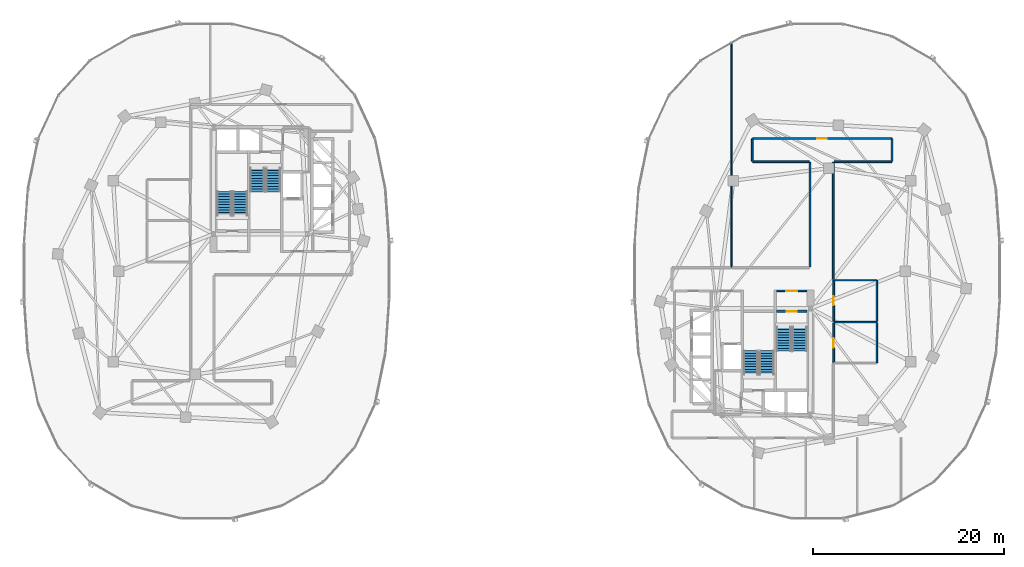
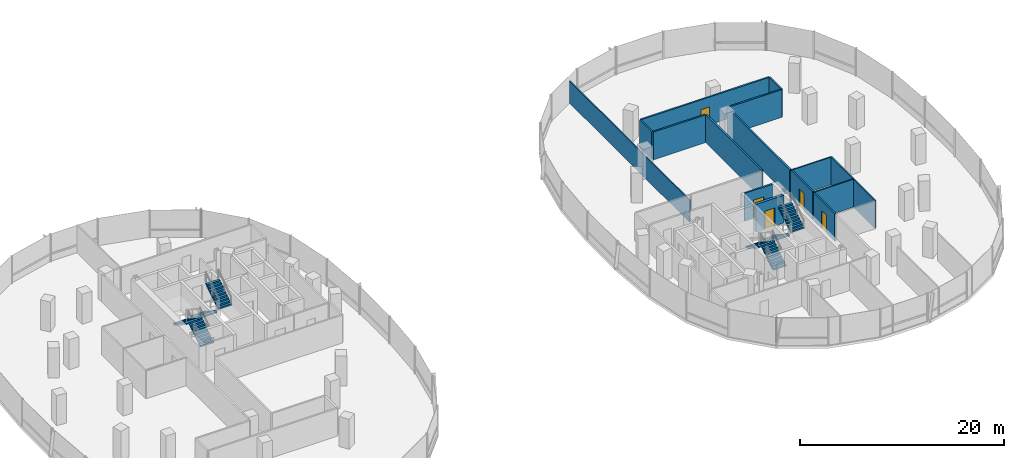
# One storey, part 13 of 20: 16 walls, 8 stair flights, 5 doors, 5 openings, 4 elements without a shape of their own.
"""IFC4 building model written with IfcOpenShell, lengths in metres."""

from ifc_helpers import new_model, si_unit, direction, frame, frame_2d, origin, place, context, subcontext, project, spatial, polyline, rectangle, outline, extrude, material, layer, layer_set, type_object, element, fill, aggregate, save


model = new_model("IFC4")

# Units and contexts
model_context = context("Model", 3, precision=1e-05, world=origin(), true_north=direction((0.0, 1.0)))
body_context = subcontext(model_context, "Body", "Model", "MODEL_VIEW")
ifc_project = project(units=[si_unit("LENGTHUNIT", "METRE"), si_unit("AREAUNIT", "SQUARE_METRE"), si_unit("VOLUMEUNIT", "CUBIC_METRE"), si_unit("PLANEANGLEUNIT", "RADIAN"), si_unit("MASSUNIT", "GRAM", prefix="KILO"), si_unit("THERMODYNAMICTEMPERATUREUNIT", "KELVIN"), si_unit("POWERUNIT", "WATT")], contexts=[model_context])

# Site, building, storey
site_placement = place(None, origin())
site = spatial("IfcSite", under=ifc_project, at=site_placement, CompositionType="ELEMENT")
building_placement = place(site_placement, origin())
building = spatial("IfcBuilding", under=site, at=building_placement, Name="Cundina Bronze Exchange", CompositionType="ELEMENT")
storey_placement = place(building_placement, frame((0.0, 0.0, 128.60009765625)))
storey = spatial("IfcBuildingStorey", under=building, at=storey_placement, Name="L33", CompositionType="ELEMENT", Elevation=128.60009765625)

# Wall, opening, door
ifc_material_1 = material(Name="Gypsum Fireboard Partition EI120")
ifc_layer_1 = layer(ifc_material_1, 0.179931640625, Name="Gypsum Fireboard Partition EI120")
ifc_layer_set_1 = layer_set([ifc_layer_1], Name="Gypsum Fireboard Partition EI120")
wall_type_1 = type_object("IfcWallType", Name="WL-COR-180", PredefinedType="PARTITIONING", material=ifc_layer_set_1)
wall_1_placement = place(storey_placement, frame((27.739990234375, -2.06005859375, 0.0), z_axis=(0.0, 0.0, 1.0), x_axis=(1.0, 0.0, 0.0)))
wall_1 = element("IfcWall", 1, at=wall_1_placement, inside=storey, type_object=wall_type_1, Name="L33 E Stair Vestibule Exit Wall", PredefinedType="PARTITIONING", context=body_context, shape_type="SweptSolid", body=[
    extrude(rectangle(XDim=3.159912109375, YDim=0.179931640625, at=frame_2d((1.580078125, 0.0))), origin(), (0.0, 0.0, 1.0), 3.31982421875),
])
opening_1_placement = place(wall_1_placement, frame((0.97998046875, 0.0, 0.0)))
opening_1 = element("IfcOpeningElement", 2, at=opening_1_placement, cuts=wall_1, Name="Opening DF-01", PredefinedType="OPENING", context=body_context, shape_type="SweptSolid", body=[
    extrude(rectangle(XDim=1.199951171875, YDim=2.14990234375, at=frame_2d((0.60009765625, 1.074951171875))), frame((0.0, 0.099853515625, 0.0), z_axis=(0.0, -1.0, 0.0), x_axis=(1.0, 0.0, 0.0)), (0.0, 0.0, 1.0), 0.199951171875),
])
ifc_material_2 = material(Name="Steel ASTM A36 Painted", Category="steel")
door_type_1 = type_object("IfcDoorType", Name="DR-FFL-1200", OperationType="NOTDEFINED", PredefinedType="DOOR", material=ifc_material_2)
door_1_placement = place(opening_1_placement, origin())
door_1 = element("IfcDoor", 3, at=door_1_placement, inside=storey, type_object=door_type_1, Name="L33 E Stair Vestibule Door", OperationType="SINGLE_SWING_RIGHT", OverallHeight=2.14990234375, OverallWidth=1.199951171875, PredefinedType="DOOR", context=body_context, shape_type="SweptSolid", body=[
    extrude(rectangle(XDim=1.199951171875, YDim=2.14990234375, at=frame_2d((0.60009765625, 1.074951171875))), frame((0.0, 0.02490234375, 0.0), z_axis=(0.0, -1.0, 0.0), x_axis=(1.0, 0.0, 0.0)), (0.0, 0.0, 1.0), 0.050048828125),
])
fill(opening_1, door_1)

wall_2_placement = place(storey_placement, frame((33.719970703125, -5.22998046875, 0.0), z_axis=(0.0, 0.0, 1.0), x_axis=(0.0, 1.0, 0.0)))
wall_2 = element("IfcWall", 4, at=wall_2_placement, inside=storey, type_object=wall_type_1, Name="L33 Interior Partition 040", PredefinedType="PARTITIONING", context=body_context, shape_type="SweptSolid", body=[
    extrude(rectangle(XDim=4.260009765625, YDim=0.179931640625, at=frame_2d((2.1298828125, 0.0))), origin(), (0.0, 0.0, 1.0), 3.31982421875),
])
opening_2_placement = place(wall_2_placement, frame((1.655029296875, 0.0, 0.0)))
opening_2 = element("IfcOpeningElement", 5, at=opening_2_placement, cuts=wall_2, Name="Opening DW-01", PredefinedType="OPENING", context=body_context, shape_type="SweptSolid", body=[
    extrude(rectangle(XDim=0.949951171875, YDim=2.10009765625, at=frame_2d((0.47509765625, 1.050048828125))), frame((0.0, 0.099853515625, 0.0), z_axis=(0.0, -1.0, 0.0), x_axis=(1.0, 0.0, 0.0)), (0.0, 0.0, 1.0), 0.199951171875),
])
ifc_material_3 = material(Name="Solid Andean Oak Timber Grade A", Category="wood")
door_type_2 = type_object("IfcDoorType", Name="DR-WC-950", OperationType="NOTDEFINED", PredefinedType="DOOR", material=ifc_material_3)
door_2_placement = place(opening_2_placement, origin())
door_2 = element("IfcDoor", 6, at=door_2_placement, inside=storey, type_object=door_type_2, Name="L33 Interior Door 040", OperationType="SINGLE_SWING_RIGHT", OverallHeight=2.10009765625, OverallWidth=0.949951171875, PredefinedType="DOOR", context=body_context, shape_type="SweptSolid", body=[
    extrude(rectangle(XDim=0.949951171875, YDim=2.10009765625, at=frame_2d((0.47509765625, 1.050048828125))), frame((0.0, 0.02490234375, 0.0), z_axis=(0.0, -1.0, 0.0), x_axis=(1.0, 0.0, 0.0)), (0.0, 0.0, 1.0), 0.050048828125),
])
fill(opening_2, door_2)

wall_3_placement = place(storey_placement, frame((33.719970703125, -9.590087890625, 0.0), z_axis=(0.0, 0.0, 1.0), x_axis=(0.0, 1.0, 0.0)))
wall_3 = element("IfcWall", 7, at=wall_3_placement, inside=storey, type_object=wall_type_1, Name="L33 Interior Partition 041", PredefinedType="PARTITIONING", context=body_context, shape_type="SweptSolid", body=[
    extrude(rectangle(XDim=4.16015625, YDim=0.179931640625, at=frame_2d((2.080078125, 0.0))), origin(), (0.0, 0.0, 1.0), 3.31982421875),
])
opening_3_placement = place(wall_3_placement, frame((1.580078125, 0.0, 0.0)))
opening_3 = element("IfcOpeningElement", 8, at=opening_3_placement, cuts=wall_3, Name="Opening DO-01", PredefinedType="OPENING", context=body_context, shape_type="SweptSolid", body=[
    extrude(rectangle(XDim=1.0, YDim=2.14990234375, at=frame_2d((0.5, 1.074951171875))), frame((0.0, 0.099853515625, 0.0), z_axis=(0.0, -1.0, 0.0), x_axis=(1.0, 0.0, 0.0)), (0.0, 0.0, 1.0), 0.199951171875),
])
door_type_3 = type_object("IfcDoorType", Name="DR-OFF-1000", OperationType="NOTDEFINED", PredefinedType="DOOR", material=ifc_material_3)
door_3_placement = place(opening_3_placement, origin())
door_3 = element("IfcDoor", 9, at=door_3_placement, inside=storey, type_object=door_type_3, Name="L33 Interior Door 041", OperationType="SINGLE_SWING_RIGHT", OverallHeight=2.14990234375, OverallWidth=1.0, PredefinedType="DOOR", context=body_context, shape_type="SweptSolid", body=[
    extrude(rectangle(XDim=1.0, YDim=2.14990234375, at=frame_2d((0.5, 1.074951171875))), frame((0.0, 0.02490234375, 0.0), z_axis=(0.0, -1.0, 0.0), x_axis=(1.0, 0.0, 0.0)), (0.0, 0.0, 1.0), 0.050048828125),
])
fill(opening_3, door_3)

wall_4_placement = place(storey_placement, frame((39.778564453125, 13.919921875, 0.0), z_axis=(0.0, 0.0, 1.0), x_axis=(-1.0, 0.0, 0.0)))
wall_4 = element("IfcWall", 10, at=wall_4_placement, inside=storey, type_object=wall_type_1, Name="L33 Interior Partition 053", PredefinedType="PARTITIONING", context=body_context, shape_type="SweptSolid", body=[
    extrude(rectangle(XDim=14.55712890625, YDim=0.179931640625, at=frame_2d((7.278564453125, 0.0))), origin(), (0.0, 0.0, 1.0), 3.31982421875),
])
opening_4_placement = place(wall_4_placement, frame((6.778564453125, 0.0, 0.0)))
opening_4 = element("IfcOpeningElement", 11, at=opening_4_placement, cuts=wall_4, Name="Opening DO-01", PredefinedType="OPENING", context=body_context, shape_type="SweptSolid", body=[
    extrude(rectangle(XDim=1.0, YDim=2.14990234375, at=frame_2d((0.5, 1.074951171875))), frame((0.0, 0.099853515625, 0.0), z_axis=(0.0, -1.0, 0.0), x_axis=(1.0, 0.0, 0.0)), (0.0, 0.0, 1.0), 0.199951171875),
])
door_4_placement = place(opening_4_placement, origin())
door_4 = element("IfcDoor", 12, at=door_4_placement, inside=storey, type_object=door_type_3, Name="L33 Interior Door 053", OperationType="SINGLE_SWING_RIGHT", OverallHeight=2.14990234375, OverallWidth=1.0, PredefinedType="DOOR", context=body_context, shape_type="SweptSolid", body=[
    extrude(rectangle(XDim=1.0, YDim=2.14990234375, at=frame_2d((0.5, 1.074951171875))), frame((0.0, 0.02490234375, 0.0), z_axis=(0.0, -1.0, 0.0), x_axis=(1.0, 0.0, 0.0)), (0.0, 0.0, 1.0), 0.050048828125),
])
fill(opening_4, door_4)

# Walls
wall_5_placement = place(storey_placement, frame((33.669921875, -0.858642578125, 0.0), z_axis=(0.0, 0.0, 1.0), x_axis=(0.0, 1.0, 0.0)))
element("IfcWall", 13, at=wall_5_placement, inside=storey, type_object=wall_type_1, Name="L33 Interior Partition 054", PredefinedType="PARTITIONING", context=body_context, shape_type="SweptSolid", body=[
    extrude(rectangle(XDim=12.258544921875, YDim=0.179931640625, at=frame_2d((6.12939453125, 0.0))), origin(), (0.0, 0.0, 1.0), 3.31982421875),
])
wall_6_placement = place(storey_placement, frame((31.22998046875, 11.39990234375, 0.0), z_axis=(0.0, 0.0, 1.0), x_axis=(0.0, -1.0, 0.0)))
element("IfcWall", 14, at=wall_6_placement, inside=storey, type_object=wall_type_1, Name="L33 Interior Partition 055", PredefinedType="PARTITIONING", context=body_context, shape_type="SweptSolid", body=[
    extrude(rectangle(XDim=10.949951171875, YDim=0.179931640625, at=frame_2d((5.47509765625, 0.0))), origin(), (0.0, 0.0, 1.0), 3.31982421875),
])
wall_7_placement = place(storey_placement, frame((33.75, 11.47998046875, 0.0), z_axis=(0.0, 0.0, 1.0), x_axis=(1.0, 0.0, 0.0)))
element("IfcWall", 15, at=wall_7_placement, inside=storey, type_object=wall_type_1, Name="L33 Interior Partition 058", PredefinedType="PARTITIONING", context=body_context, shape_type="SweptSolid", body=[
    extrude(rectangle(XDim=6.028564453125, YDim=0.179931640625, at=frame_2d((3.01416015625, 0.0))), origin(), (0.0, 0.0, 1.0), 3.31982421875),
])
wall_8_placement = place(storey_placement, frame((25.221435546875, 11.47998046875, 0.0), z_axis=(0.0, 0.0, 1.0), x_axis=(1.0, 0.0, 0.0)))
element("IfcWall", 16, at=wall_8_placement, inside=storey, type_object=wall_type_1, Name="L33 Interior Partition 059", PredefinedType="PARTITIONING", context=body_context, shape_type="SweptSolid", body=[
    extrude(rectangle(XDim=5.928466796875, YDim=0.179931640625, at=frame_2d((2.96435546875, 0.0))), origin(), (0.0, 0.0, 1.0), 3.31982421875),
])
for number, where, z_axis, x_axis, name in (
    (17, (39.820068359375, 11.521484375, 0.0), (0.0, 0.0, 1.0), (0.0, 1.0, 0.0), "L33 Interior Partition 061"),
    (18, (25.179931640625, 13.87841796875, 0.0), (0.0, 0.0, 1.0), (0.0, -1.0, 0.0), "L33 Interior Partition 062"),
):
    element("IfcWall", number, at=place(storey_placement, frame(where, z_axis=z_axis, x_axis=x_axis)), inside=storey, type_object=wall_type_1, Name=name, PredefinedType="PARTITIONING", context=body_context, shape_type="SweptSolid", body=[
        extrude(rectangle(XDim=2.35693359375, YDim=0.179931640625, at=frame_2d((1.178466796875, 0.0))), origin(), (0.0, 0.0, 1.0), 3.31982421875),
    ])
ifc_material_4 = material(Name="Gypsum Acoustic Partition EI60")
ifc_layer_2 = layer(ifc_material_4, 0.125, Name="Gypsum Acoustic Partition EI60")
ifc_layer_set_2 = layer_set([ifc_layer_2], Name="Gypsum Acoustic Partition EI60")
wall_type_2 = type_object("IfcWallType", Name="WL-OFF-125", PredefinedType="PARTITIONING", material=ifc_layer_set_2)
wall_9_placement = place(storey_placement, frame((23.010009765625, 0.39990234375, 0.0), z_axis=(0.0, 0.0, 1.0), x_axis=(0.0, 1.0, 0.0)))
element("IfcWall", 19, at=wall_9_placement, inside=storey, type_object=wall_type_2, Name="L33 Interior Partition 042", PredefinedType="PARTITIONING", context=body_context, shape_type="SweptSolid", body=[
    extrude(rectangle(XDim=23.631103515625, YDim=0.125, at=frame_2d((11.8154296875, 0.0))), origin(), (0.0, 0.0, 1.0), 2.625),
])

# Wall, opening, door
ifc_material_5 = material(Name="Concrete C50/60", Category="concrete")
ifc_layer_3 = layer(ifc_material_5, 0.300048828125, Name="Concrete C50/60", Category="concrete")
ifc_layer_set_3 = layer_set([ifc_layer_3], Name="Concrete C50/60")
wall_type_3 = type_object("IfcWallType", Name="WL-SHFT-300", PredefinedType="SHEAR", material=ifc_layer_set_3)
wall_10_placement = place(storey_placement, frame((27.739990234375, -4.199951171875, 0.0), z_axis=(0.0, 0.0, 1.0), x_axis=(1.0, 0.0, 0.0)))
wall_10 = element("IfcWall", 20, at=wall_10_placement, inside=storey, type_object=wall_type_3, Name="L33 Stair E1 Landing Wall", PredefinedType="SHEAR", context=body_context, shape_type="SweptSolid", body=[
    extrude(rectangle(XDim=3.159912109375, YDim=0.300048828125, at=frame_2d((1.580078125, 0.0))), origin(), (0.0, 0.0, 1.0), 3.31982421875),
])
opening_5_placement = place(wall_10_placement, frame((1.030029296875, 0.0, 0.0)))
opening_5 = element("IfcOpeningElement", 21, at=opening_5_placement, cuts=wall_10, Name="Opening DS-01", PredefinedType="OPENING", context=body_context, shape_type="SweptSolid", body=[
    extrude(rectangle(XDim=1.10009765625, YDim=2.14990234375, at=frame_2d((0.550048828125, 1.074951171875))), frame((0.0, 0.159912109375, 0.0), z_axis=(0.0, -1.0, 0.0), x_axis=(1.0, 0.0, 0.0)), (0.0, 0.0, 1.0), 0.320068359375),
])
door_type_4 = type_object("IfcDoorType", Name="DR-STR-1100", OperationType="NOTDEFINED", PredefinedType="DOOR", material=ifc_material_2)
door_5_placement = place(opening_5_placement, origin())
door_5 = element("IfcDoor", 22, at=door_5_placement, inside=storey, type_object=door_type_4, Name="L33 Smokeproof Stair E1 Door", OperationType="SINGLE_SWING_LEFT", OverallHeight=2.14990234375, OverallWidth=1.10009765625, PredefinedType="DOOR", context=body_context, shape_type="SweptSolid", body=[
    extrude(rectangle(XDim=1.10009765625, YDim=2.14990234375, at=frame_2d((0.550048828125, 1.074951171875))), frame((0.0, 0.02490234375, 0.0), z_axis=(0.0, -1.0, 0.0), x_axis=(1.0, 0.0, 0.0)), (0.0, 0.0, 1.0), 0.050048828125),
])
fill(opening_5, door_5)

# Walls
ifc_material_6 = material(Name="Moisture-Resistant Masonry Block Grade M15", Category="masonry")
ifc_layer_4 = layer(ifc_material_6, 0.139892578125, Name="Moisture-Resistant Masonry Block Grade M15", Category="masonry")
ifc_layer_set_4 = layer_set([ifc_layer_4], Name="Moisture-Resistant Masonry Block Grade M15")
wall_type_4 = type_object("IfcWallType", Name="WL-WET-140", PredefinedType="PARTITIONING", material=ifc_layer_set_4)
wall_11_placement = place(storey_placement, frame((38.239990234375, -9.590087890625, 0.0), z_axis=(0.0, 0.0, 1.0), x_axis=(0.0, 1.0, 0.0)))
element("IfcWall", 23, at=wall_11_placement, inside=storey, type_object=wall_type_4, Name="L33 Interior Partition 035", PredefinedType="PARTITIONING", context=body_context, shape_type="SweptSolid", body=[
    extrude(rectangle(XDim=4.175048828125, YDim=0.139892578125, at=frame_2d((2.08740234375, 0.0))), origin(), (0.0, 0.0, 1.0), 3.31982421875),
])
wall_12_placement = place(storey_placement, frame((38.239990234375, -5.2451171875, 0.0), z_axis=(0.0, 0.0, 1.0), x_axis=(0.0, 1.0, 0.0)))
element("IfcWall", 24, at=wall_12_placement, inside=storey, type_object=wall_type_4, Name="L33 Interior Partition 036", PredefinedType="PARTITIONING", context=body_context, shape_type="SweptSolid", body=[
    extrude(rectangle(XDim=4.275146484375, YDim=0.139892578125, at=frame_2d((2.1376953125, 0.0))), origin(), (0.0, 0.0, 1.0), 3.31982421875),
])
for number, where, z_axis, x_axis, name in (
    (25, (33.739990234375, -0.949951171875, 0.0), (0.0, 0.0, 1.0), (1.0, 0.0, 0.0), "L33 Interior Partition 037"),
    (26, (33.739990234375, -5.330078125, 0.0), (0.0, 0.0, 1.0), (1.0, 0.0, 0.0), "L33 Interior Partition 038"),
):
    element("IfcWall", number, at=place(storey_placement, frame(where, z_axis=z_axis, x_axis=x_axis)), inside=storey, type_object=wall_type_4, Name=name, PredefinedType="PARTITIONING", context=body_context, shape_type="SweptSolid", body=[
        extrude(rectangle(XDim=4.47998046875, YDim=0.139892578125, at=frame_2d((2.239990234375, 0.0))), origin(), (0.0, 0.0, 1.0), 3.31982421875),
    ])

# Stair, stair flights
ifc_material_7 = material(Name="Concrete C40/50", Category="concrete")
stair_type = type_object("IfcStairType", Name="STR-OFF-360", PredefinedType="HALF_TURN_STAIR", material=ifc_material_7)
stair_1_placement = place(storey_placement, origin())
stair_1 = element("IfcStair", 27, at=stair_1_placement, inside=storey, type_object=stair_type, Name="L33 Smokeproof Exit Stair W1", PredefinedType="HALF_TURN_STAIR")
stair_flight_type = type_object("IfcStairFlightType", Name="FLG-OFF-180", PredefinedType="STRAIGHT", material=ifc_material_7)
stair_flight_1_placement = place(storey_placement, frame((-28.489990234375, 5.85009765625, 0.0), z_axis=(0.0, 0.0, 1.0), x_axis=(0.0, 1.0, 0.0)))
stair_flight_1 = element("IfcStairFlight", 28, at=stair_flight_1_placement, type_object=stair_flight_type, Name="ST-W1 flight 1", NumberOfRisers=10, NumberOfTreads=9, PredefinedType="STRAIGHT", RiserHeight=0.18, TreadLength=0.28, context=body_context, shape_type="SweptSolid", body=[
    extrude(outline(polyline([(0.0, 0.0), (0.0, 0.179931640625), (0.280029296875, 0.179931640625), (0.280029296875, 0.360107421875), (0.56005859375, 0.360107421875), (0.56005859375, 0.5400390625), (0.840087890625, 0.5400390625), (0.840087890625, 0.719970703125), (1.1201171875, 0.719970703125), (1.1201171875, 0.89990234375), (1.39990234375, 0.89990234375), (1.39990234375, 1.080078125), (1.679931640625, 1.080078125), (1.679931640625, 1.260009765625), (1.9599609375, 1.260009765625), (1.9599609375, 1.43994140625), (2.239990234375, 1.43994140625), (2.239990234375, 1.6201171875), (2.52001953125, 1.6201171875), (2.52001953125, 1.800048828125), (2.52001953125, 1.44189453125), (0.277099609375, 0.0), (0.0, 0.0)])), frame((0.0, 0.75, 0.0), z_axis=(0.0, -1.0, 0.0), x_axis=(1.0, 0.0, 0.0)), (0.0, 0.0, 1.0), 1.5),
])
stair_flight_2_placement = place(storey_placement, frame((-30.14990234375, 8.3701171875, 1.7998046875), z_axis=(0.0, 0.0, 1.0), x_axis=(0.0, -1.0, 0.0)))
stair_flight_2 = element("IfcStairFlight", 29, at=stair_flight_2_placement, type_object=stair_flight_type, Name="ST-W1 flight 2", NumberOfRisers=10, NumberOfTreads=9, PredefinedType="STRAIGHT", RiserHeight=0.18, TreadLength=0.28, context=body_context, shape_type="SweptSolid", body=[
    extrude(outline(polyline([(0.0, 0.0), (0.0, 0.179931640625), (0.280029296875, 0.179931640625), (0.280029296875, 0.360107421875), (0.56005859375, 0.360107421875), (0.56005859375, 0.5400390625), (0.840087890625, 0.5400390625), (0.840087890625, 0.719970703125), (1.1201171875, 0.719970703125), (1.1201171875, 0.89990234375), (1.39990234375, 0.89990234375), (1.39990234375, 1.080078125), (1.679931640625, 1.080078125), (1.679931640625, 1.260009765625), (1.9599609375, 1.260009765625), (1.9599609375, 1.43994140625), (2.239990234375, 1.43994140625), (2.239990234375, 1.6201171875), (2.52001953125, 1.6201171875), (2.52001953125, 1.800048828125), (2.52001953125, 1.44189453125), (0.277099609375, 0.0), (0.0, 0.0)])), frame((0.0, 0.75, 0.0), z_axis=(0.0, -1.0, 0.0), x_axis=(1.0, 0.0, 0.0)), (0.0, 0.0, 1.0), 1.5),
])
aggregate(stair_1, [stair_flight_1, stair_flight_2])

stair_2_placement = place(storey_placement, origin())
stair_2 = element("IfcStair", 30, at=stair_2_placement, inside=storey, type_object=stair_type, Name="L33 Smokeproof Exit Stair W2", PredefinedType="HALF_TURN_STAIR")
stair_flight_3_placement = place(storey_placement, frame((-26.68994140625, 10.85009765625, 0.0), z_axis=(0.0, 0.0, 1.0), x_axis=(0.0, -1.0, 0.0)))
stair_flight_3 = element("IfcStairFlight", 31, at=stair_flight_3_placement, type_object=stair_flight_type, Name="ST-W2 flight 1", NumberOfRisers=10, NumberOfTreads=9, PredefinedType="STRAIGHT", RiserHeight=0.18, TreadLength=0.28, context=body_context, shape_type="SweptSolid", body=[
    extrude(outline(polyline([(0.0, 0.0), (0.0, 0.179931640625), (0.280029296875, 0.179931640625), (0.280029296875, 0.360107421875), (0.56005859375, 0.360107421875), (0.56005859375, 0.5400390625), (0.840087890625, 0.5400390625), (0.840087890625, 0.719970703125), (1.1201171875, 0.719970703125), (1.1201171875, 0.89990234375), (1.39990234375, 0.89990234375), (1.39990234375, 1.080078125), (1.679931640625, 1.080078125), (1.679931640625, 1.260009765625), (1.9599609375, 1.260009765625), (1.9599609375, 1.43994140625), (2.239990234375, 1.43994140625), (2.239990234375, 1.6201171875), (2.52001953125, 1.6201171875), (2.52001953125, 1.800048828125), (2.52001953125, 1.44189453125), (0.277099609375, 0.0), (0.0, 0.0)])), frame((0.0, 0.75, 0.0), z_axis=(0.0, -1.0, 0.0), x_axis=(1.0, 0.0, 0.0)), (0.0, 0.0, 1.0), 1.5),
])
stair_flight_4_placement = place(storey_placement, frame((-25.030029296875, 8.330078125, 1.7998046875), z_axis=(0.0, 0.0, 1.0), x_axis=(0.0, 1.0, 0.0)))
stair_flight_4 = element("IfcStairFlight", 32, at=stair_flight_4_placement, type_object=stair_flight_type, Name="ST-W2 flight 2", NumberOfRisers=10, NumberOfTreads=9, PredefinedType="STRAIGHT", RiserHeight=0.18, TreadLength=0.28, context=body_context, shape_type="SweptSolid", body=[
    extrude(outline(polyline([(0.0, 0.0), (0.0, 0.179931640625), (0.280029296875, 0.179931640625), (0.280029296875, 0.360107421875), (0.56005859375, 0.360107421875), (0.56005859375, 0.5400390625), (0.840087890625, 0.5400390625), (0.840087890625, 0.719970703125), (1.1201171875, 0.719970703125), (1.1201171875, 0.89990234375), (1.39990234375, 0.89990234375), (1.39990234375, 1.080078125), (1.679931640625, 1.080078125), (1.679931640625, 1.260009765625), (1.9599609375, 1.260009765625), (1.9599609375, 1.43994140625), (2.239990234375, 1.43994140625), (2.239990234375, 1.6201171875), (2.52001953125, 1.6201171875), (2.52001953125, 1.800048828125), (2.52001953125, 1.44189453125), (0.277099609375, 0.0), (0.0, 0.0)])), frame((0.0, 0.75, 0.0), z_axis=(0.0, -1.0, 0.0), x_axis=(1.0, 0.0, 0.0)), (0.0, 0.0, 1.0), 1.5),
])
aggregate(stair_2, [stair_flight_3, stair_flight_4])

stair_3_placement = place(storey_placement, origin())
stair_3 = element("IfcStair", 33, at=stair_3_placement, inside=storey, type_object=stair_type, Name="L33 Smokeproof Exit Stair E1", PredefinedType="HALF_TURN_STAIR")
stair_flight_5_placement = place(storey_placement, frame((28.489990234375, -5.85009765625, 0.0), z_axis=(0.0, 0.0, 1.0), x_axis=(0.0, -1.0, 0.0)))
stair_flight_5 = element("IfcStairFlight", 34, at=stair_flight_5_placement, type_object=stair_flight_type, Name="ST-E1 flight 1", NumberOfRisers=10, NumberOfTreads=9, PredefinedType="STRAIGHT", RiserHeight=0.18, TreadLength=0.28, context=body_context, shape_type="SweptSolid", body=[
    extrude(outline(polyline([(0.0, 0.0), (0.0, 0.179931640625), (0.280029296875, 0.179931640625), (0.280029296875, 0.360107421875), (0.56005859375, 0.360107421875), (0.56005859375, 0.5400390625), (0.840087890625, 0.5400390625), (0.840087890625, 0.719970703125), (1.1201171875, 0.719970703125), (1.1201171875, 0.89990234375), (1.39990234375, 0.89990234375), (1.39990234375, 1.080078125), (1.679931640625, 1.080078125), (1.679931640625, 1.260009765625), (1.9599609375, 1.260009765625), (1.9599609375, 1.43994140625), (2.239990234375, 1.43994140625), (2.239990234375, 1.6201171875), (2.52001953125, 1.6201171875), (2.52001953125, 1.800048828125), (2.52001953125, 1.44189453125), (0.277099609375, 0.0), (0.0, 0.0)])), frame((0.0, 0.75, 0.0), z_axis=(0.0, -1.0, 0.0), x_axis=(1.0, 0.0, 0.0)), (0.0, 0.0, 1.0), 1.5),
])
stair_flight_6_placement = place(storey_placement, frame((30.14990234375, -8.3701171875, 1.7998046875), z_axis=(0.0, 0.0, 1.0), x_axis=(0.0, 1.0, 0.0)))
stair_flight_6 = element("IfcStairFlight", 35, at=stair_flight_6_placement, type_object=stair_flight_type, Name="ST-E1 flight 2", NumberOfRisers=10, NumberOfTreads=9, PredefinedType="STRAIGHT", RiserHeight=0.18, TreadLength=0.28, context=body_context, shape_type="SweptSolid", body=[
    extrude(outline(polyline([(0.0, 0.0), (0.0, 0.179931640625), (0.280029296875, 0.179931640625), (0.280029296875, 0.360107421875), (0.56005859375, 0.360107421875), (0.56005859375, 0.5400390625), (0.840087890625, 0.5400390625), (0.840087890625, 0.719970703125), (1.1201171875, 0.719970703125), (1.1201171875, 0.89990234375), (1.39990234375, 0.89990234375), (1.39990234375, 1.080078125), (1.679931640625, 1.080078125), (1.679931640625, 1.260009765625), (1.9599609375, 1.260009765625), (1.9599609375, 1.43994140625), (2.239990234375, 1.43994140625), (2.239990234375, 1.6201171875), (2.52001953125, 1.6201171875), (2.52001953125, 1.800048828125), (2.52001953125, 1.44189453125), (0.277099609375, 0.0), (0.0, 0.0)])), frame((0.0, 0.75, 0.0), z_axis=(0.0, -1.0, 0.0), x_axis=(1.0, 0.0, 0.0)), (0.0, 0.0, 1.0), 1.5),
])
aggregate(stair_3, [stair_flight_5, stair_flight_6])

stair_4_placement = place(storey_placement, origin())
stair_4 = element("IfcStair", 36, at=stair_4_placement, inside=storey, type_object=stair_type, Name="L33 Smokeproof Exit Stair E2", PredefinedType="HALF_TURN_STAIR")
stair_flight_7_placement = place(storey_placement, frame((26.68994140625, -10.85009765625, 0.0), z_axis=(0.0, 0.0, 1.0), x_axis=(0.0, 1.0, 0.0)))
stair_flight_7 = element("IfcStairFlight", 37, at=stair_flight_7_placement, type_object=stair_flight_type, Name="ST-E2 flight 1", NumberOfRisers=10, NumberOfTreads=9, PredefinedType="STRAIGHT", RiserHeight=0.18, TreadLength=0.28, context=body_context, shape_type="SweptSolid", body=[
    extrude(outline(polyline([(0.0, 0.0), (0.0, 0.179931640625), (0.280029296875, 0.179931640625), (0.280029296875, 0.360107421875), (0.56005859375, 0.360107421875), (0.56005859375, 0.5400390625), (0.840087890625, 0.5400390625), (0.840087890625, 0.719970703125), (1.1201171875, 0.719970703125), (1.1201171875, 0.89990234375), (1.39990234375, 0.89990234375), (1.39990234375, 1.080078125), (1.679931640625, 1.080078125), (1.679931640625, 1.260009765625), (1.9599609375, 1.260009765625), (1.9599609375, 1.43994140625), (2.239990234375, 1.43994140625), (2.239990234375, 1.6201171875), (2.52001953125, 1.6201171875), (2.52001953125, 1.800048828125), (2.52001953125, 1.44189453125), (0.277099609375, 0.0), (0.0, 0.0)])), frame((0.0, 0.75, 0.0), z_axis=(0.0, -1.0, 0.0), x_axis=(1.0, 0.0, 0.0)), (0.0, 0.0, 1.0), 1.5),
])
stair_flight_8_placement = place(storey_placement, frame((25.030029296875, -8.330078125, 1.7998046875), z_axis=(0.0, 0.0, 1.0), x_axis=(0.0, -1.0, 0.0)))
stair_flight_8 = element("IfcStairFlight", 38, at=stair_flight_8_placement, type_object=stair_flight_type, Name="ST-E2 flight 2", NumberOfRisers=10, NumberOfTreads=9, PredefinedType="STRAIGHT", RiserHeight=0.18, TreadLength=0.28, context=body_context, shape_type="SweptSolid", body=[
    extrude(outline(polyline([(0.0, 0.0), (0.0, 0.179931640625), (0.280029296875, 0.179931640625), (0.280029296875, 0.360107421875), (0.56005859375, 0.360107421875), (0.56005859375, 0.5400390625), (0.840087890625, 0.5400390625), (0.840087890625, 0.719970703125), (1.1201171875, 0.719970703125), (1.1201171875, 0.89990234375), (1.39990234375, 0.89990234375), (1.39990234375, 1.080078125), (1.679931640625, 1.080078125), (1.679931640625, 1.260009765625), (1.9599609375, 1.260009765625), (1.9599609375, 1.43994140625), (2.239990234375, 1.43994140625), (2.239990234375, 1.6201171875), (2.52001953125, 1.6201171875), (2.52001953125, 1.800048828125), (2.52001953125, 1.44189453125), (0.277099609375, 0.0), (0.0, 0.0)])), frame((0.0, 0.75, 0.0), z_axis=(0.0, -1.0, 0.0), x_axis=(1.0, 0.0, 0.0)), (0.0, 0.0, 1.0), 1.5),
])
aggregate(stair_4, [stair_flight_7, stair_flight_8])

save(model, "model.ifc")
